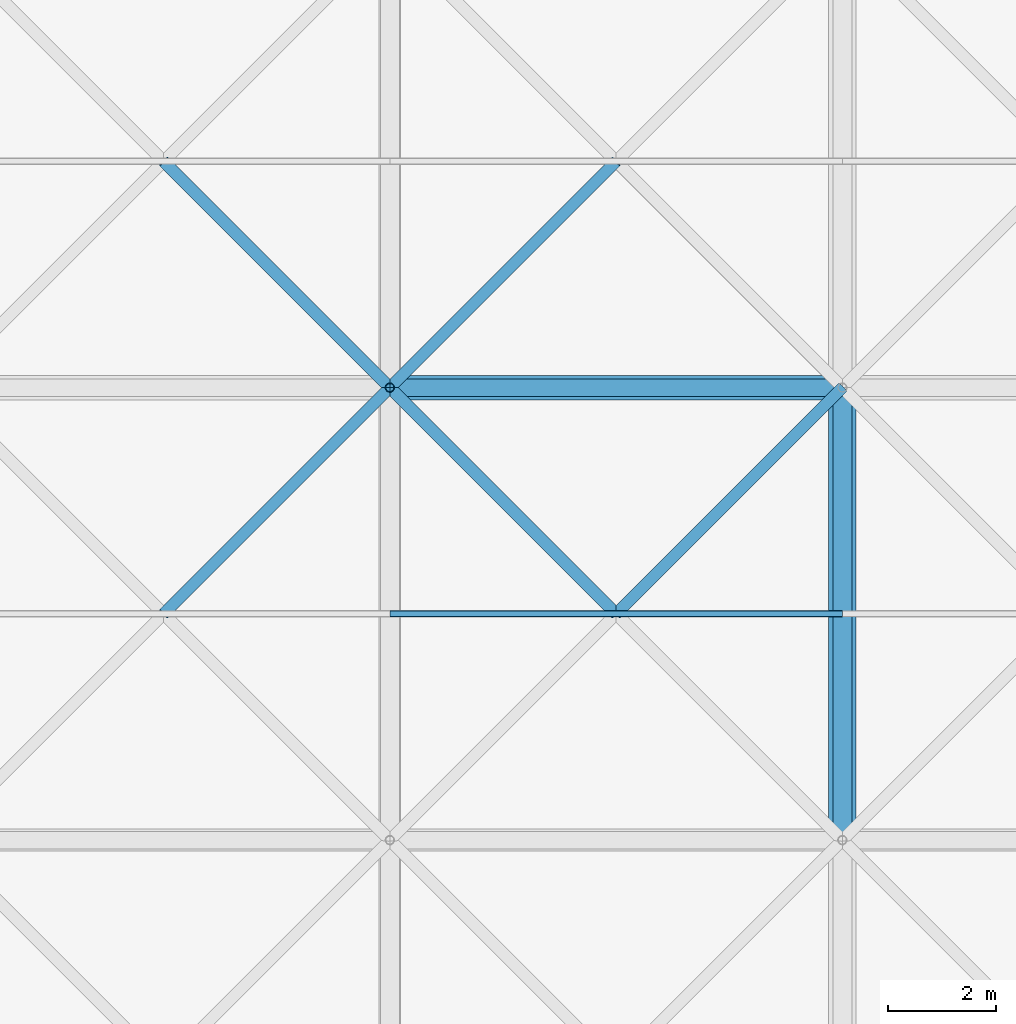
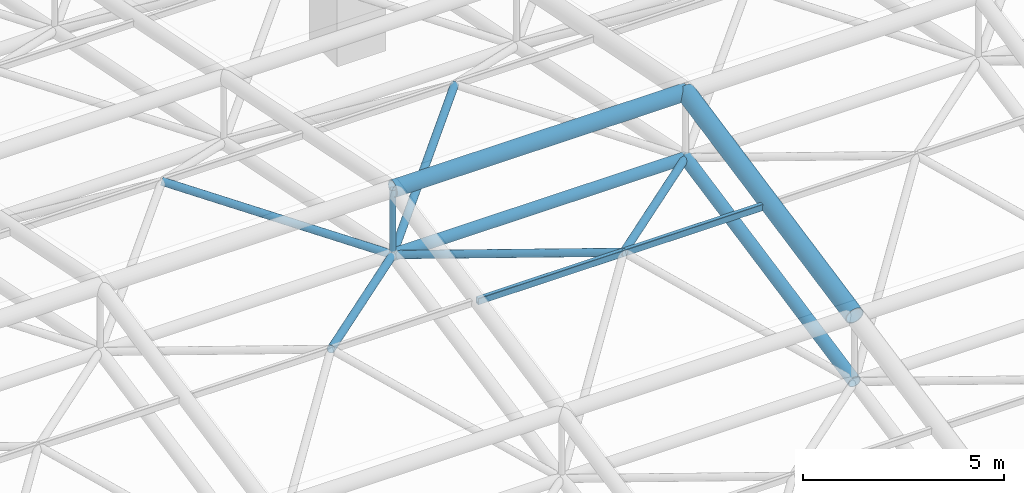
# One storey, part 39 of 81: 11 members.
"""IFC4 building model written with IfcOpenShell, lengths in metres."""

from ifc_helpers import new_model, si_unit, direction, frame, origin, origin_2d, place, context, subcontext, project, spatial, hollow_rectangle, hollow_circle, extrude, material, material_profile, profile_set, type_object, element, save


model = new_model("IFC4")

# Units and contexts
model_context = context("Model", 3, precision=1e-05, world=origin(), true_north=direction((0.0, 1.0)))
body_context = subcontext(model_context, "Body", "Model", "MODEL_VIEW")
ifc_project = project(units=[si_unit("LENGTHUNIT", "METRE"), si_unit("AREAUNIT", "SQUARE_METRE"), si_unit("VOLUMEUNIT", "CUBIC_METRE"), si_unit("PLANEANGLEUNIT", "RADIAN"), si_unit("MASSUNIT", "GRAM", prefix="KILO")], contexts=[model_context])

# Site, building, storey
site_placement = place(None, origin())
site = spatial("IfcSite", under=ifc_project, at=site_placement, CompositionType="ELEMENT")
building_placement = place(site_placement, origin())
building = spatial("IfcBuilding", under=site, at=building_placement, Name="Qawsi Khor Wholesale Market", CompositionType="ELEMENT")
storey_placement = place(building_placement, frame((0.0, 0.0, 16.199951171875)))
storey = spatial("IfcBuildingStorey", under=building, at=storey_placement, Name="L03", CompositionType="ELEMENT", Elevation=16.199951171875)

# Members
ifc_material = material(Name="Steel S355", Category="steel")
ifc_material_profile_1 = material_profile(ifc_material, hollow_circle(Radius=0.177734375, WallThickness=0.01611328125, at=origin_2d()), Name="CHS 355.6x16.0")
ifc_profile_set_1 = profile_set([ifc_material_profile_1], Name="Steel S355")
member_type_1 = type_object("IfcMemberType", Name="Space-Frame Bottom Chord CHS 355.6x16.0", PredefinedType="CHORD", material=ifc_profile_set_1)
member_1_placement = place(storey_placement, frame((58.800048828125, 67.199951171875, 5.070068359375), z_axis=(0.0, 0.98013111127, 0.198350711418), x_axis=(-1.0, 0.0, 0.0)))
element("IfcMember", 1, at=member_1_placement, inside=storey, type_object=member_type_1, Name="Space frame bottom chord Y WH (7,8)", PredefinedType="CHORD", context=body_context, shape_type="SweptSolid", body=[
    extrude(hollow_circle(Radius=0.177734375, WallThickness=0.01611328125, at=origin_2d()), origin(), (0.0, 0.0, 1.0), 8.5703125),
])
ifc_material_profile_2 = material_profile(ifc_material, hollow_rectangle(XDim=0.1201171875, YDim=0.199951171875, WallThickness=0.008056640625, InnerFilletRadius=0.008056640625, OuterFilletRadius=0.01611328125, at=origin_2d()), Name="RHS 200x120x8.0")
ifc_profile_set_2 = profile_set([ifc_material_profile_2], Name="Steel S355")
member_type_2 = type_object("IfcMemberType", Name="Space-Frame Heavy Purlin RHS 200x120x8.0", PredefinedType="PURLIN", material=ifc_profile_set_2)
member_2_placement = place(storey_placement, frame((50.39990234375, 71.39990234375, 7.920166015625), z_axis=(1.0, 0.0, 0.0), x_axis=(0.0, 1.0, 0.0)))
element("IfcMember", 2, at=member_2_placement, inside=storey, type_object=member_type_2, Name="Space frame purlin WH (6,8)", PredefinedType="PURLIN", context=body_context, shape_type="SweptSolid", body=[
    extrude(hollow_rectangle(XDim=0.1201171875, YDim=0.199951171875, WallThickness=0.008056640625, InnerFilletRadius=0.008056640625, OuterFilletRadius=0.01611328125, at=origin_2d()), origin(), (0.0, 0.0, 1.0), 8.400146484375),
])
ifc_material_profile_3 = material_profile(ifc_material, hollow_circle(Radius=0.109619140625, WallThickness=0.010009765625, at=origin_2d()), Name="CHS 219.1x10.0")
ifc_profile_set_3 = profile_set([ifc_material_profile_3], Name="Steel S355")
member_type_3 = type_object("IfcMemberType", Name="Space-Frame Inner Diagonal CHS 219.1x10.0", PredefinedType="RAFTER", material=ifc_profile_set_3)
for number, where, z_axis, x_axis, name in (
    (3, (50.39990234375, 75.60009765625, 6.77001953125), (-0.694191941586, -0.694232294544, 0.190102786538), (0.707127332136, -0.70708622964, 0.0), "Space frame diagonal WH (5,8)-3"),
    (4, (50.39990234375, 75.60009765625, 6.77001953125), (-0.694211389158, 0.694211389158, 0.190108112208), (-0.707106781187, -0.707106781187, 0.0), "Space frame diagonal WH (5,9)-2"),
    (5, (58.800048828125, 75.60009765625, 6.77001953125), (-0.694191941586, -0.694232294544, 0.190102786538), (0.707127332136, -0.70708622964, 0.0), "Space frame diagonal WH (6,8)-3"),
):
    element("IfcMember", number, at=place(storey_placement, frame(where, z_axis=z_axis, x_axis=x_axis)), inside=storey, type_object=member_type_3, Name=name, PredefinedType="RAFTER", context=body_context, shape_type="SweptSolid", body=[
        extrude(hollow_circle(Radius=0.109619140625, WallThickness=0.010009765625, at=origin_2d()), origin(), (0.0, 0.0, 1.0), 6.050048828125),
    ])
member_3_placement = place(storey_placement, frame((50.39990234375, 75.60009765625, 6.77001953125), z_axis=(0.694212847476, -0.694212847476, 0.190097461315), x_axis=(0.707106781187, 0.707106781187, 0.0)))
element("IfcMember", 6, at=member_3_placement, inside=storey, type_object=member_type_3, Name="Space frame diagonal WH (6,8)-4", PredefinedType="RAFTER", context=body_context, shape_type="SweptSolid", body=[
    extrude(hollow_circle(Radius=0.109619140625, WallThickness=0.010009765625, at=origin_2d()), origin(), (0.0, 0.0, 1.0), 6.05029296875),
])
member_4_placement = place(storey_placement, frame((50.39990234375, 75.60009765625, 6.77001953125), z_axis=(0.694232294544, 0.694191941586, 0.190102786538), x_axis=(-0.70708622964, 0.707127332136, 0.0)))
element("IfcMember", 7, at=member_4_placement, inside=storey, type_object=member_type_3, Name="Space frame diagonal WH (6,9)-1", PredefinedType="RAFTER", context=body_context, shape_type="SweptSolid", body=[
    extrude(hollow_circle(Radius=0.109619140625, WallThickness=0.010009765625, at=origin_2d()), origin(), (0.0, 0.0, 1.0), 6.050048828125),
])
ifc_material_profile_4 = material_profile(ifc_material, hollow_circle(Radius=0.25390625, WallThickness=0.02490234375, at=origin_2d()), Name="CHS 508.0x25.0")
ifc_profile_set_4 = profile_set([ifc_material_profile_4], Name="Steel S355")
member_type_4 = type_object("IfcMemberType", Name="Space-Frame Main Chord CHS 508.0x25.0", PredefinedType="CHORD", material=ifc_profile_set_4)
member_5_placement = place(storey_placement, frame((58.800048828125, 67.199951171875, 7.070068359375), z_axis=(0.0, 0.98013111127, 0.198350711418), x_axis=(-1.0, 0.0, 0.0)))
element("IfcMember", 8, at=member_5_placement, inside=storey, type_object=member_type_4, Name="Space frame top chord Y WH (7,8)", PredefinedType="CHORD", context=body_context, shape_type="SweptSolid", body=[
    extrude(hollow_circle(Radius=0.25390625, WallThickness=0.02490234375, at=origin_2d()), origin(), (0.0, 0.0, 1.0), 8.5703125),
])
ifc_material_profile_5 = material_profile(ifc_material, hollow_circle(Radius=0.228515625, WallThickness=0.02001953125, at=origin_2d()), Name="CHS 457.0x20.0")
ifc_profile_set_5 = profile_set([ifc_material_profile_5], Name="Steel S355")
member_type_5 = type_object("IfcMemberType", Name="Space-Frame Ridge Chord CHS 457.0x20.0", PredefinedType="CHORD", material=ifc_profile_set_5)
member_6_placement = place(storey_placement, frame((50.39990234375, 75.60009765625, 8.77001953125), z_axis=(1.0, 0.0, 0.0), x_axis=(0.0, 1.0, 0.0)))
element("IfcMember", 9, at=member_6_placement, inside=storey, type_object=member_type_5, Name="Space frame top chord X WH (6,9)", PredefinedType="CHORD", context=body_context, shape_type="SweptSolid", body=[
    extrude(hollow_circle(Radius=0.228515625, WallThickness=0.02001953125, at=origin_2d()), origin(), (0.0, 0.0, 1.0), 8.400146484375),
])
ifc_material_profile_6 = material_profile(ifc_material, hollow_circle(Radius=0.161865234375, WallThickness=0.01611328125, at=origin_2d()), Name="CHS 323.9x16.0")
ifc_profile_set_6 = profile_set([ifc_material_profile_6], Name="Steel S355")
member_type_6 = type_object("IfcMemberType", Name="Space-Frame Secondary Chord CHS 323.9x16.0", PredefinedType="CHORD", material=ifc_profile_set_6)
member_7_placement = place(storey_placement, frame((50.39990234375, 75.60009765625, 6.77001953125), z_axis=(1.0, 0.0, 0.0), x_axis=(0.0, 1.0, 0.0)))
element("IfcMember", 10, at=member_7_placement, inside=storey, type_object=member_type_6, Name="Space frame bottom chord X WH (6,9)", PredefinedType="CHORD", context=body_context, shape_type="SweptSolid", body=[
    extrude(hollow_circle(Radius=0.161865234375, WallThickness=0.01611328125, at=origin_2d()), origin(), (0.0, 0.0, 1.0), 8.400146484375),
])
ifc_material_profile_7 = material_profile(ifc_material, hollow_circle(Radius=0.084228515625, WallThickness=0.008056640625, at=origin_2d()), Name="CHS 168.3x8.0")
ifc_profile_set_7 = profile_set([ifc_material_profile_7], Name="Steel S355")
member_type_7 = type_object("IfcMemberType", Name="Space-Frame Vertical Strut CHS 168.3x8.0", PredefinedType="STRUT", material=ifc_profile_set_7)
member_8_placement = place(storey_placement, frame((50.39990234375, 75.60009765625, 6.77001953125), z_axis=(0.0, 0.0, 1.0), x_axis=(1.0, 0.0, 0.0)))
element("IfcMember", 11, at=member_8_placement, inside=storey, type_object=member_type_7, Name="Space frame post WH (6,9)", PredefinedType="STRUT", context=body_context, shape_type="SweptSolid", body=[
    extrude(hollow_circle(Radius=0.084228515625, WallThickness=0.008056640625, at=origin_2d()), origin(), (0.0, 0.0, 1.0), 2.0),
])

save(model, "model.ifc")
